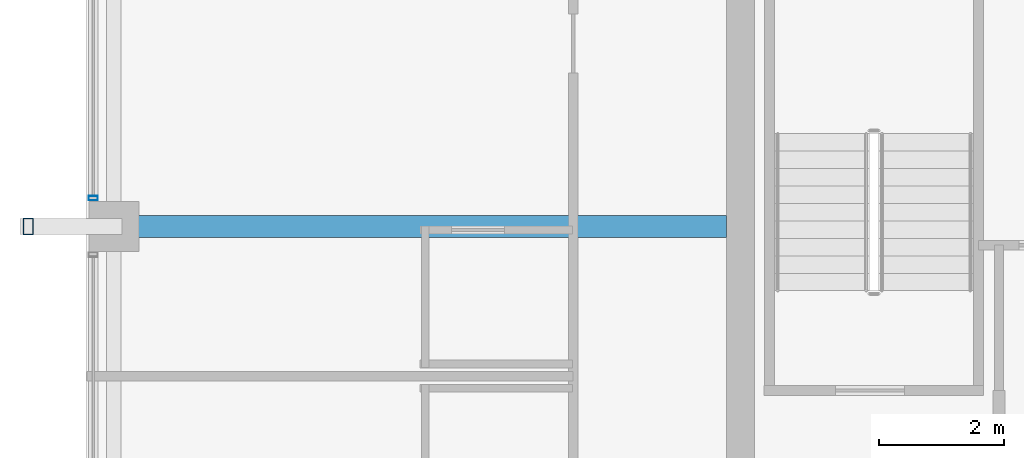
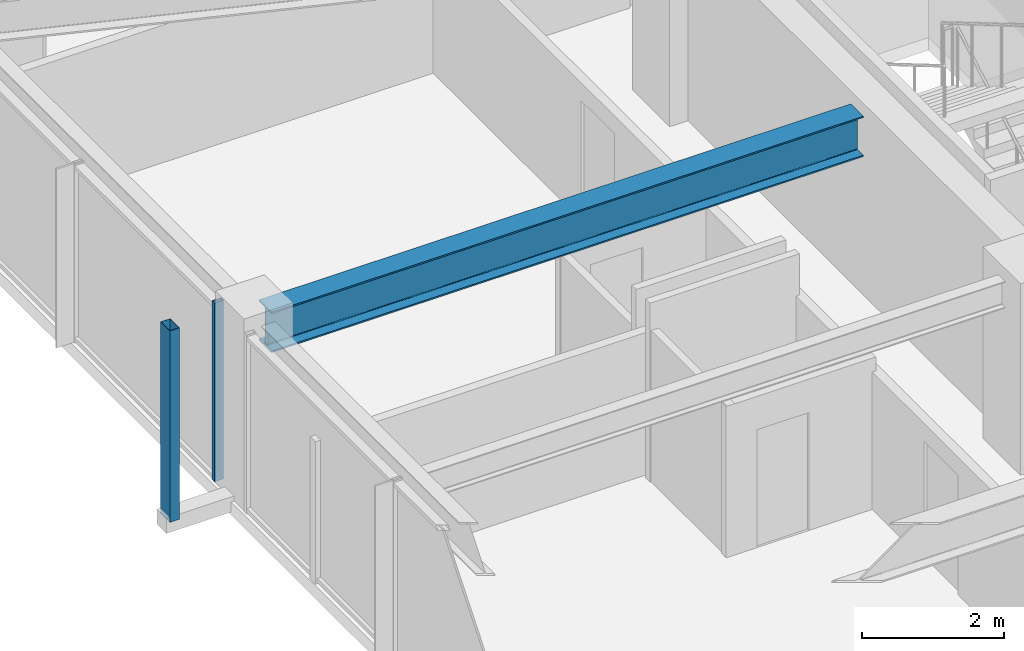
# One storey, part 10 of 38: 2 members, 1 beam, 1 element without a shape of its own.
"""IFC4 building model written with IfcOpenShell, lengths in metres."""

from ifc_helpers import new_model, si_unit, direction, frame, origin, origin_2d, place, context, subcontext, project, spatial, hollow_rectangle, i_section, extrude, material, material_profile, profile_set, type_object, element, aggregate, save


model = new_model("IFC4")

# Units and contexts
model_context = context("Model", 3, precision=1e-05, world=origin(), true_north=direction((0.0, 1.0)))
body_context = subcontext(model_context, "Body", "Model", "MODEL_VIEW")
ifc_project = project(units=[si_unit("LENGTHUNIT", "METRE"), si_unit("AREAUNIT", "SQUARE_METRE"), si_unit("VOLUMEUNIT", "CUBIC_METRE"), si_unit("PLANEANGLEUNIT", "RADIAN"), si_unit("MASSUNIT", "GRAM", prefix="KILO")], contexts=[model_context])

# Site, building, storey
site_placement = place(None, origin())
site = spatial("IfcSite", under=ifc_project, at=site_placement, CompositionType="ELEMENT")
building_placement = place(site_placement, origin())
building = spatial("IfcBuilding", under=site, at=building_placement, Name="Kolvaren Belvedere", CompositionType="ELEMENT")
storey_placement = place(building_placement, frame((0.0, 0.0, 213.0)))
storey = spatial("IfcBuildingStorey", under=building, at=storey_placement, Name="L62", CompositionType="ELEMENT", Elevation=213.0)

# Beam
ifc_material_1 = material(Name="Structural steel ASTM A992 Grade 50", Category="steel")
ifc_material_profile_1 = material_profile(ifc_material_1, i_section(OverallWidth=0.35498046875, OverallDepth=0.696044921875, WebThickness=0.015380859375, FlangeThickness=0.02490234375, FilletRadius=0.02197265625, at=origin_2d()), Name="W27X146")
ifc_profile_set_1 = profile_set([ifc_material_profile_1], Name="Structural steel ASTM A992 Grade 50")
beam_type = type_object("IfcBeamType", Name="BM-GIRD-W27X146", PredefinedType="BEAM", material=ifc_profile_set_1)
beam_placement = place(storey_placement, frame((-10.125, 4.60009765625, 2.73193359375), z_axis=(-1.0, 0.0, 0.0), x_axis=(0.0, -1.0, 0.0)))
element("IfcBeam", 1, at=beam_placement, inside=storey, type_object=beam_type, Name="L62 West Radial Girder P", PredefinedType="BEAM", context=body_context, shape_type="SweptSolid", body=[
    extrude(i_section(OverallWidth=0.35498046875, OverallDepth=0.696044921875, WebThickness=0.015380859375, FlangeThickness=0.02490234375, FilletRadius=0.02197265625, at=origin_2d()), origin(), (0.0, 0.0, 1.0), 9.64501953125),
])

# Curtain wall, member
ifc_material_2 = material(Name="Anodised pale-metal aluminium AA 6063-T6", Category="aluminium")
curtain_wall_type = type_object("IfcCurtainWallType", Name="CW-Z5-HIGH", PredefinedType="NOTDEFINED", material=ifc_material_2)
curtain_wall_placement = place(storey_placement, origin())
curtain_wall = element("IfcCurtainWall", 2, at=curtain_wall_placement, inside=storey, type_object=curtain_wall_type, Name="L62 Unitised Curtain Wall FCW-L62-W-B3", PredefinedType="NOTDEFINED")
ifc_material_3 = material(Name="Anodised pale-metal aluminium AA 6063-T6", Category="aluminium")
ifc_material_profile_2 = material_profile(ifc_material_3, hollow_rectangle(XDim=0.070068359375, YDim=0.14990234375, WallThickness=0.004150390625, at=origin_2d()), Name="ALU-MUL-150X70")
ifc_profile_set_2 = profile_set([ifc_material_profile_2], Name="Anodised pale-metal aluminium AA 6063-T6")
member_type_1 = type_object("IfcMemberType", Name="CW-MUL-150", PredefinedType="MULLION", material=ifc_profile_set_2)
member_1_placement = place(storey_placement, frame((-20.280029296875, 5.054931640625, 0.0), z_axis=(0.0, 0.0, 1.0), x_axis=(0.0, 1.0, 0.0)))
member_1 = element("IfcMember", 3, at=member_1_placement, type_object=member_type_1, Name="FCW-L62-W-B3 Unitised Mullion 1", PredefinedType="MULLION", context=body_context, shape_type="SweptSolid", body=[
    extrude(hollow_rectangle(XDim=0.070068359375, YDim=0.14990234375, WallThickness=0.004150390625, at=origin_2d()), origin(), (0.0, 0.0, 1.0), 3.080078125),
])
aggregate(curtain_wall, [member_1])

# Member
ifc_material_4 = material(Name="Anodised pale-metal aluminium AA 6063-T6", Category="aluminium")
ifc_material_profile_3 = material_profile(ifc_material_4, hollow_rectangle(XDim=0.159912109375, YDim=0.260009765625, WallThickness=0.006591796875, at=origin_2d()), Name="ALU-PF-260X160")
ifc_profile_set_3 = profile_set([ifc_material_profile_3], Name="Anodised pale-metal aluminium AA 6063-T6")
member_type_2 = type_object("IfcMemberType", Name="PF-FRAME-260", PredefinedType="USERDEFINED", material=ifc_profile_set_3)
member_2_placement = place(storey_placement, frame((-21.320068359375, 4.60009765625, 0.0), z_axis=(0.0, 0.0, 1.0), x_axis=(1.0, 0.0, 0.0)))
element("IfcMember", 4, at=member_2_placement, inside=storey, type_object=member_type_2, Name="L62 Outboard Picture-Frame Vertical W2", ObjectType="PICTURE FRAME FIN", PredefinedType="USERDEFINED", context=body_context, shape_type="SweptSolid", body=[
    extrude(hollow_rectangle(XDim=0.159912109375, YDim=0.260009765625, WallThickness=0.006591796875, at=origin_2d()), origin(), (0.0, 0.0, 1.0), 3.300048828125),
])

save(model, "model.ifc")
